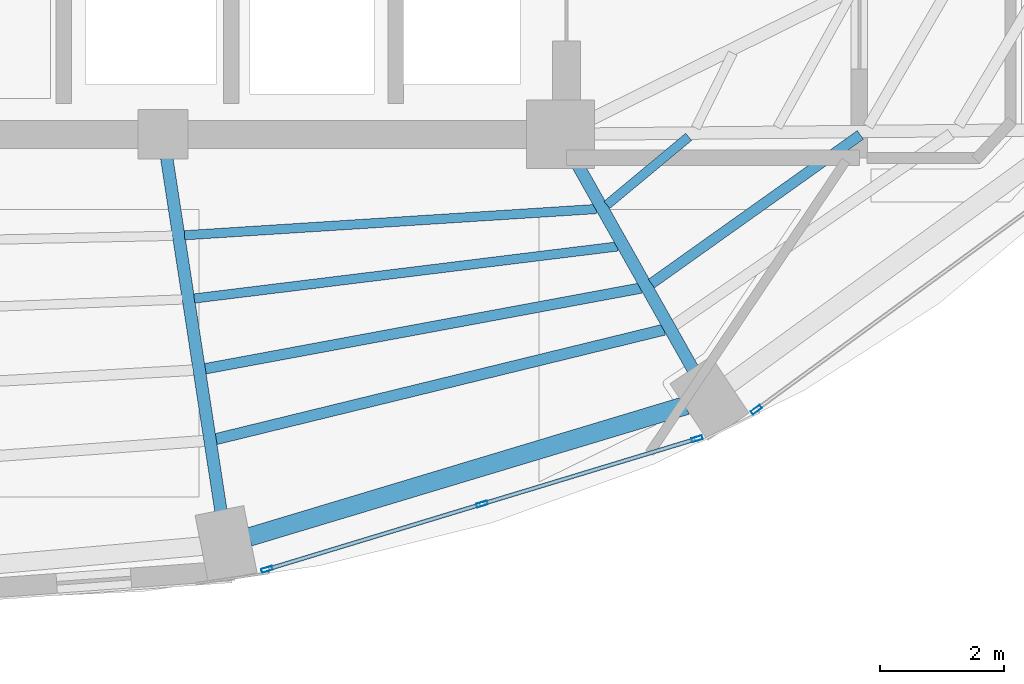
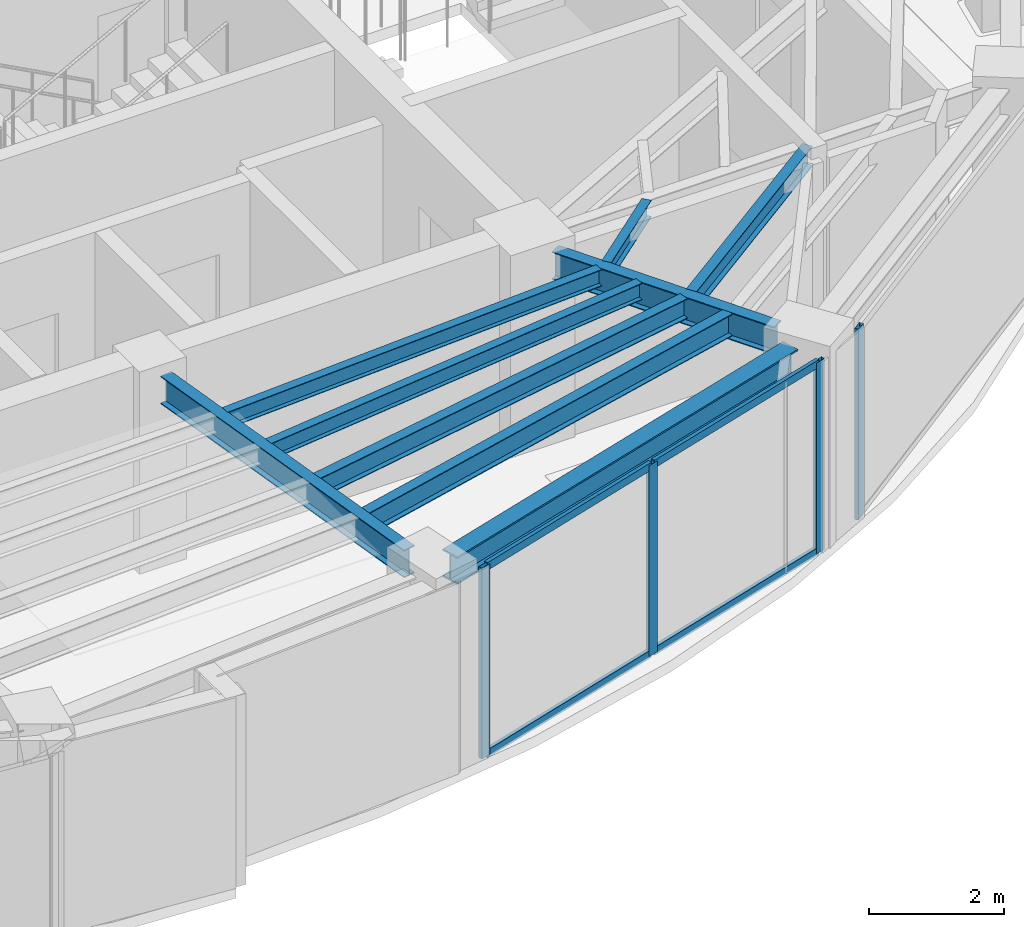
# One storey, part 2 of 12: 9 beams, 8 members, 2 elements without a shape of their own.
"""IFC4 building model written with IfcOpenShell, lengths in metres."""

from ifc_helpers import new_model, si_unit, direction, frame, origin, origin_2d, place, context, subcontext, project, spatial, hollow_rectangle, i_section, extrude, material, layer, layer_set, material_profile, profile_set, type_object, element, aggregate, save


model = new_model("IFC4")

# Units and contexts
model_context = context("Model", 3, precision=1e-05, world=origin(), true_north=direction((0.0, 1.0)))
body_context = subcontext(model_context, "Body", "Model", "MODEL_VIEW")
ifc_project = project(units=[si_unit("LENGTHUNIT", "METRE"), si_unit("AREAUNIT", "SQUARE_METRE"), si_unit("VOLUMEUNIT", "CUBIC_METRE"), si_unit("PLANEANGLEUNIT", "RADIAN"), si_unit("MASSUNIT", "GRAM", prefix="KILO")], contexts=[model_context])

# Site, building, storey
site_placement = place(None, origin())
site = spatial("IfcSite", under=ifc_project, at=site_placement, CompositionType="ELEMENT")
building_placement = place(site_placement, origin())
building = spatial("IfcBuilding", under=site, at=building_placement, Name="Lazwardi Medical Tower", CompositionType="ELEMENT")
storey_placement = place(building_placement, frame((0.0, 0.0, 287.85595703125)))
storey = spatial("IfcBuildingStorey", under=building, at=storey_placement, Name="L75", CompositionType="ELEMENT", Elevation=287.85595703125)

# Beams
ifc_material_1 = material(Name="Steel S355", Category="steel")
ifc_material_profile_1 = material_profile(ifc_material_1, i_section(OverallWidth=0.300048828125, OverallDepth=0.5, WebThickness=0.014404296875, FlangeThickness=0.028076171875, at=origin_2d()), Name="HEB 500")
ifc_profile_set_1 = profile_set([ifc_material_profile_1], Name="Steel S355")
beam_type_1 = type_object("IfcBeamType", Name="BM-RB-Z4", PredefinedType="BEAM", material=ifc_profile_set_1)
beam_1_placement = place(storey_placement, frame((40.58740234375, 13.9140625, 3.197998046875), z_axis=(0.957544311906, 0.288286126506, 0.0), x_axis=(-0.288286126506, 0.957544311906, 0.0)))
element("IfcBeam", 1, at=beam_1_placement, inside=storey, type_object=beam_type_1, Name="Ring beam RB-05 B01 L75", PredefinedType="BEAM", context=body_context, shape_type="SweptSolid", body=[
    extrude(i_section(OverallWidth=0.300048828125, OverallDepth=0.5, WebThickness=0.014404296875, FlangeThickness=0.028076171875, at=origin_2d()), origin(), (0.0, 0.0, 1.0), 7.3515625),
])
ifc_material_profile_2 = material_profile(ifc_material_1, i_section(OverallWidth=0.199951171875, OverallDepth=0.5, WebThickness=0.01025390625, FlangeThickness=0.01611328125, at=origin_2d()), Name="IPE 500")
ifc_profile_set_2 = profile_set([ifc_material_profile_2], Name="Steel S355")
beam_type_2 = type_object("IfcBeamType", Name="BM-RG-W3", PredefinedType="BEAM", material=ifc_profile_set_2)
beam_2_placement = place(storey_placement, frame((40.1328125, 14.33056640625, 3.197998046875), z_axis=(-0.151894625259, 0.988396693043, 0.0), x_axis=(-0.988396693043, -0.151894625259, 0.0)))
element("IfcBeam", 2, at=beam_2_placement, inside=storey, type_object=beam_type_2, Name="Radial girder RG-04 R01 L75", PredefinedType="BEAM", context=body_context, shape_type="SweptSolid", body=[
    extrude(i_section(OverallWidth=0.199951171875, OverallDepth=0.5, WebThickness=0.01025390625, FlangeThickness=0.01611328125, at=origin_2d()), origin(), (0.0, 0.0, 1.0), 5.755859375),
])
beam_3_placement = place(storey_placement, frame((47.7373046875, 16.61181640625, 3.197998046875), z_axis=(-0.491403349237, 0.870932114667, 0.0), x_axis=(-0.870932114667, -0.491403349237, 0.0)))
element("IfcBeam", 3, at=beam_3_placement, inside=storey, type_object=beam_type_2, Name="Radial girder RG-04 R02 L75", PredefinedType="BEAM", context=body_context, shape_type="SweptSolid", body=[
    extrude(i_section(OverallWidth=0.199951171875, OverallDepth=0.5, WebThickness=0.01025390625, FlangeThickness=0.01611328125, at=origin_2d()), origin(), (0.0, 0.0, 1.0), 3.814697265625),
])
ifc_material_profile_3 = material_profile(ifc_material_1, i_section(OverallWidth=0.179931640625, OverallDepth=0.39990234375, WebThickness=0.008544921875, FlangeThickness=0.013427734375, at=origin_2d()), Name="IPE 400")
ifc_profile_set_3 = profile_set([ifc_material_profile_3], Name="Steel S355")
beam_type_3 = type_object("IfcBeamType", Name="BM-SJ-01", PredefinedType="JOIST", material=ifc_profile_set_3)
beam_4_placement = place(storey_placement, frame((40.050048828125, 15.49072265625, 3.248046875), z_axis=(0.971461103721, 0.237198912219, 0.0), x_axis=(-0.237198912219, 0.971461103721, 0.0)))
element("IfcBeam", 4, at=beam_4_placement, inside=storey, type_object=beam_type_3, Name="Secondary joist SJ-01 R1 B01 L75", PredefinedType="JOIST", context=body_context, shape_type="SweptSolid", body=[
    extrude(i_section(OverallWidth=0.179931640625, OverallDepth=0.39990234375, WebThickness=0.008544921875, FlangeThickness=0.013427734375, at=origin_2d()), origin(), (0.0, 0.0, 1.0), 7.432373046875),
])
ifc_material_profile_4 = material_profile(ifc_material_1, i_section(OverallWidth=0.169921875, OverallDepth=0.360107421875, WebThickness=0.008056640625, FlangeThickness=0.0126953125, at=origin_2d()), Name="IPE 360")
ifc_profile_set_4 = profile_set([ifc_material_profile_4], Name="Steel S355")
beam_type_4 = type_object("IfcBeamType", Name="BM-SJ-02", PredefinedType="JOIST", material=ifc_profile_set_4)
beam_5_placement = place(storey_placement, frame((39.87646484375, 16.623291015625, 3.26806640625), z_axis=(0.983270661344, 0.182150505189, 0.0), x_axis=(-0.182150505189, 0.983270661344, 0.0)))
element("IfcBeam", 5, at=beam_5_placement, inside=storey, type_object=beam_type_4, Name="Secondary joist SJ-02 R2 B01 L75", PredefinedType="JOIST", context=body_context, shape_type="SweptSolid", body=[
    extrude(i_section(OverallWidth=0.169921875, OverallDepth=0.360107421875, WebThickness=0.008056640625, FlangeThickness=0.0126953125, at=origin_2d()), origin(), (0.0, 0.0, 1.0), 7.13720703125),
])
beam_6_placement = place(storey_placement, frame((47.06494140625, 17.995849609375, 3.26806640625), z_axis=(0.814885852348, 0.579621469274, 0.0), x_axis=(-0.579621469274, 0.814885852348, 0.0)))
element("IfcBeam", 6, at=beam_6_placement, inside=storey, type_object=beam_type_4, Name="Secondary joist SJ-02 R2 B02 L75", PredefinedType="JOIST", context=body_context, shape_type="SweptSolid", body=[
    extrude(i_section(OverallWidth=0.169921875, OverallDepth=0.360107421875, WebThickness=0.008056640625, FlangeThickness=0.0126953125, at=origin_2d()), origin(), (0.0, 0.0, 1.0), 4.131103515625),
])
ifc_material_profile_5 = material_profile(ifc_material_1, i_section(OverallWidth=0.14990234375, OverallDepth=0.300048828125, WebThickness=0.007080078125, FlangeThickness=0.0107421875, at=origin_2d()), Name="IPE 300")
ifc_profile_set_5 = profile_set([ifc_material_profile_5], Name="Steel S355")
beam_type_5 = type_object("IfcBeamType", Name="BM-SJ-03", PredefinedType="JOIST", material=ifc_profile_set_5)
beam_7_placement = place(storey_placement, frame((39.702392578125, 17.755615234375, 3.298095703125), z_axis=(0.992528507109, 0.122012960685, 0.0), x_axis=(-0.122012960685, 0.992528507109, 0.0)))
element("IfcBeam", 7, at=beam_7_placement, inside=storey, type_object=beam_type_5, Name="Secondary joist SJ-03 R3 B01 L75", PredefinedType="JOIST", context=body_context, shape_type="SweptSolid", body=[
    extrude(i_section(OverallWidth=0.14990234375, OverallDepth=0.300048828125, WebThickness=0.007080078125, FlangeThickness=0.0107421875, at=origin_2d()), origin(), (0.0, 0.0, 1.0), 6.8671875),
])
beam_8_placement = place(storey_placement, frame((39.545654296875, 18.77392578125, 3.298095703125), z_axis=(0.997972905644, 0.063640235704, 0.0), x_axis=(-0.063640235704, 0.997972905644, 0.0)))
element("IfcBeam", 8, at=beam_8_placement, inside=storey, type_object=beam_type_5, Name="Secondary joist SJ-03 R4 B01 L75", PredefinedType="JOIST", context=body_context, shape_type="SweptSolid", body=[
    extrude(i_section(OverallWidth=0.14990234375, OverallDepth=0.300048828125, WebThickness=0.007080078125, FlangeThickness=0.0107421875, at=origin_2d()), origin(), (0.0, 0.0, 1.0), 6.648193359375),
])
beam_9_placement = place(storey_placement, frame((46.348388671875, 19.263916015625, 3.298095703125), z_axis=(0.768968334056, 0.639286869269, 0.0), x_axis=(-0.639286869269, 0.768968334056, 0.0)))
element("IfcBeam", 9, at=beam_9_placement, inside=storey, type_object=beam_type_5, Name="Secondary joist SJ-03 R4 B02 L75", PredefinedType="JOIST", context=body_context, shape_type="SweptSolid", body=[
    extrude(i_section(OverallWidth=0.14990234375, OverallDepth=0.300048828125, WebThickness=0.007080078125, FlangeThickness=0.0107421875, at=origin_2d()), origin(), (0.0, 0.0, 1.0), 1.713134765625),
])

# Curtain wall, members
ifc_material_2 = material(Name="Anodised bronze aluminium and solar control glazing", Category="aluminium")
ifc_layer = layer(ifc_material_2, 0.18994140625)
ifc_layer_set = layer_set([ifc_layer], Name="Anodised bronze aluminium and solar control glazing")
curtain_wall_type = type_object("IfcCurtainWallType", Name="CW-SYS-04", PredefinedType="NOTDEFINED", material=ifc_layer_set)
curtain_wall_1_placement = place(storey_placement, origin())
curtain_wall_1 = element("IfcCurtainWall", 10, at=curtain_wall_1_placement, inside=storey, type_object=curtain_wall_type, Name="L75 Unitised bronze curtain wall CW-04", PredefinedType="NOTDEFINED")
ifc_material_3 = material(Name="Anodised bronze aluminium", Category="aluminium")
ifc_material_profile_6 = material_profile(ifc_material_3, hollow_rectangle(XDim=0.06494140625, YDim=0.179931640625, WallThickness=0.00390625, at=origin_2d()), Name="ALU-MULLION 180x65x4")
ifc_profile_set_6 = profile_set([ifc_material_profile_6], Name="Anodised bronze aluminium")
member_type_1 = type_object("IfcMemberType", Name="CW-MUL-03", PredefinedType="MULLION", material=ifc_profile_set_6)
member_1_placement = place(storey_placement, frame((40.873046875, 13.392822265625, 0.0), z_axis=(0.0, 0.0, 1.0), x_axis=(-0.290581889515, 0.956850126972, 0.0)))
member_1 = element("IfcMember", 11, at=member_1_placement, type_object=member_type_1, Name="CW-04 mullion 1", PredefinedType="MULLION", context=body_context, shape_type="SweptSolid", body=[
    extrude(hollow_rectangle(XDim=0.06494140625, YDim=0.179931640625, WallThickness=0.00390625, at=origin_2d()), origin(), (0.0, 0.0, 1.0), 3.447998046875),
])
member_2_placement = place(storey_placement, frame((44.33642578125, 14.444580078125, 0.0), z_axis=(0.0, 0.0, 1.0), x_axis=(-0.290581889515, 0.956850126972, 0.0)))
member_2 = element("IfcMember", 12, at=member_2_placement, type_object=member_type_1, Name="CW-04 mullion 2", PredefinedType="MULLION", context=body_context, shape_type="SweptSolid", body=[
    extrude(hollow_rectangle(XDim=0.06494140625, YDim=0.179931640625, WallThickness=0.00390625, at=origin_2d()), origin(), (0.0, 0.0, 1.0), 3.447998046875),
])
member_3_placement = place(storey_placement, frame((47.7998046875, 15.496337890625, 0.0), z_axis=(0.0, 0.0, 1.0), x_axis=(-0.290581889515, 0.956850126972, 0.0)))
member_3 = element("IfcMember", 13, at=member_3_placement, type_object=member_type_1, Name="CW-04 mullion 3", PredefinedType="MULLION", context=body_context, shape_type="SweptSolid", body=[
    extrude(hollow_rectangle(XDim=0.06494140625, YDim=0.179931640625, WallThickness=0.00390625, at=origin_2d()), origin(), (0.0, 0.0, 1.0), 3.447998046875),
])

# Curtain wall, member
curtain_wall_2_placement = place(storey_placement, origin())
curtain_wall_2 = element("IfcCurtainWall", 14, at=curtain_wall_2_placement, inside=storey, type_object=curtain_wall_type, Name="L75 Unitised bronze curtain wall CW-04", PredefinedType="NOTDEFINED")
member_4_placement = place(storey_placement, frame((48.75537109375, 15.965087890625, 0.0), z_axis=(0.0, 0.0, 1.0), x_axis=(-0.591268230971, 0.806474971121, 0.0)))
member_4 = element("IfcMember", 15, at=member_4_placement, type_object=member_type_1, Name="CW-04 mullion 1", PredefinedType="MULLION", context=body_context, shape_type="SweptSolid", body=[
    extrude(hollow_rectangle(XDim=0.06494140625, YDim=0.179931640625, WallThickness=0.00390625, at=origin_2d()), origin(), (0.0, 0.0, 1.0), 3.447998046875),
])
aggregate(curtain_wall_2, [member_4])

# Member
ifc_material_profile_7 = material_profile(ifc_material_3, hollow_rectangle(XDim=0.06494140625, YDim=0.139892578125, WallThickness=0.00341796875, at=origin_2d()), Name="ALU-TRANSOM 140x65x3.5")
ifc_profile_set_7 = profile_set([ifc_material_profile_7], Name="Anodised bronze aluminium")
member_type_2 = type_object("IfcMemberType", Name="CW-TRN-03", PredefinedType="USERDEFINED", material=ifc_profile_set_7)
member_5_placement = place(storey_placement, frame((40.904296875, 13.40234375, 0.032470703125), z_axis=(0.956843409009, 0.290604010015, 0.0), x_axis=(-0.290604010015, 0.956843409009, 0.0)))
member_5 = element("IfcMember", 16, at=member_5_placement, type_object=member_type_2, Name="CW-04 transom 1.1", ObjectType="TRANSOM", PredefinedType="USERDEFINED", context=body_context, shape_type="SweptSolid", body=[
    extrude(hollow_rectangle(XDim=0.06494140625, YDim=0.139892578125, WallThickness=0.00341796875, at=origin_2d()), origin(), (0.0, 0.0, 1.0), 3.554443359375),
])

member_6_placement = place(storey_placement, frame((40.904296875, 13.40234375, 3.41552734375), z_axis=(0.956843409009, 0.290604010015, 0.0), x_axis=(-0.290604010015, 0.956843409009, 0.0)))
member_6 = element("IfcMember", 17, at=member_6_placement, type_object=member_type_2, Name="CW-04 transom 1.2", ObjectType="TRANSOM", PredefinedType="USERDEFINED", context=body_context, shape_type="SweptSolid", body=[
    extrude(hollow_rectangle(XDim=0.06494140625, YDim=0.139892578125, WallThickness=0.00341796875, at=origin_2d()), origin(), (0.0, 0.0, 1.0), 3.554443359375),
])

member_7_placement = place(storey_placement, frame((44.367431640625, 14.4541015625, 0.032470703125), z_axis=(0.956843409009, 0.290604010015, 0.0), x_axis=(-0.290604010015, 0.956843409009, 0.0)))
member_7 = element("IfcMember", 18, at=member_7_placement, type_object=member_type_2, Name="CW-04 transom 2.1", ObjectType="TRANSOM", PredefinedType="USERDEFINED", context=body_context, shape_type="SweptSolid", body=[
    extrude(hollow_rectangle(XDim=0.06494140625, YDim=0.139892578125, WallThickness=0.00341796875, at=origin_2d()), origin(), (0.0, 0.0, 1.0), 3.554443359375),
])

member_8_placement = place(storey_placement, frame((44.367431640625, 14.4541015625, 3.41552734375), z_axis=(0.956843409009, 0.290604010015, 0.0), x_axis=(-0.290604010015, 0.956843409009, 0.0)))
member_8 = element("IfcMember", 19, at=member_8_placement, type_object=member_type_2, Name="CW-04 transom 2.2", ObjectType="TRANSOM", PredefinedType="USERDEFINED", context=body_context, shape_type="SweptSolid", body=[
    extrude(hollow_rectangle(XDim=0.06494140625, YDim=0.139892578125, WallThickness=0.00341796875, at=origin_2d()), origin(), (0.0, 0.0, 1.0), 3.554443359375),
])

aggregate(curtain_wall_1, [member_1, member_2, member_3, member_5, member_6, member_7, member_8])

save(model, "model.ifc")
